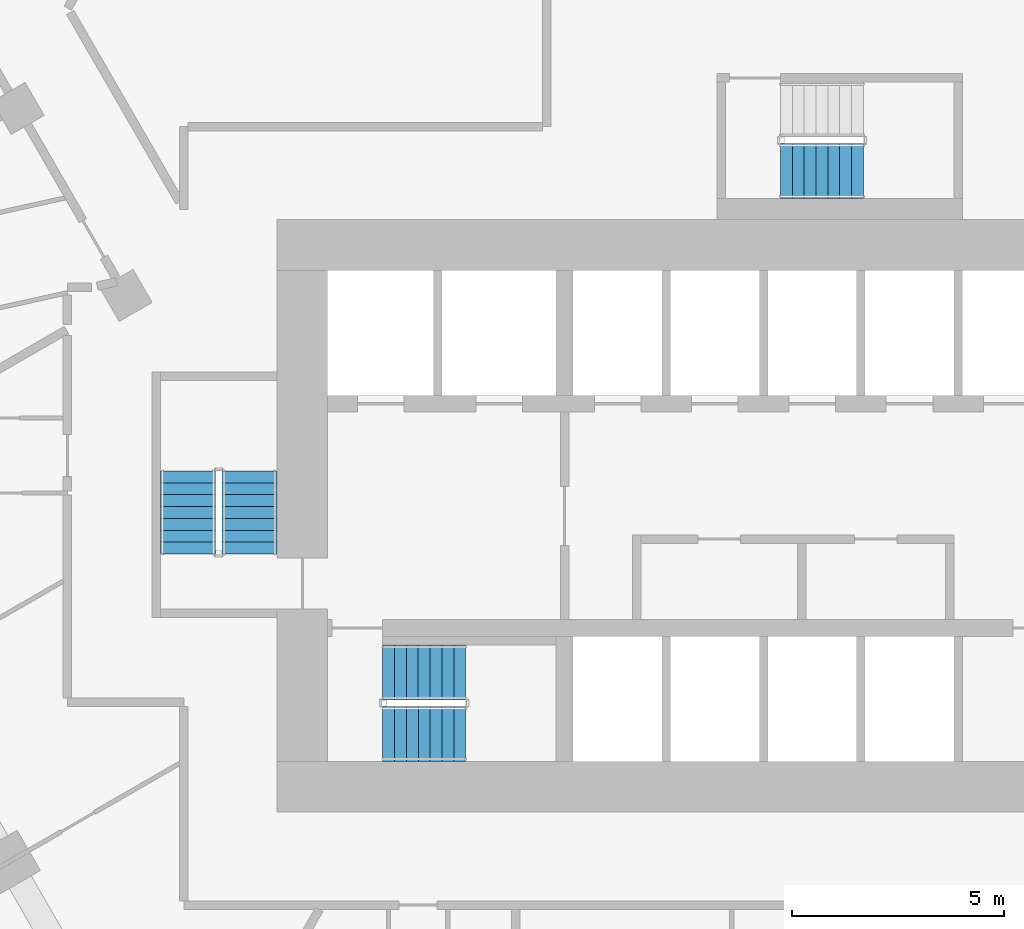
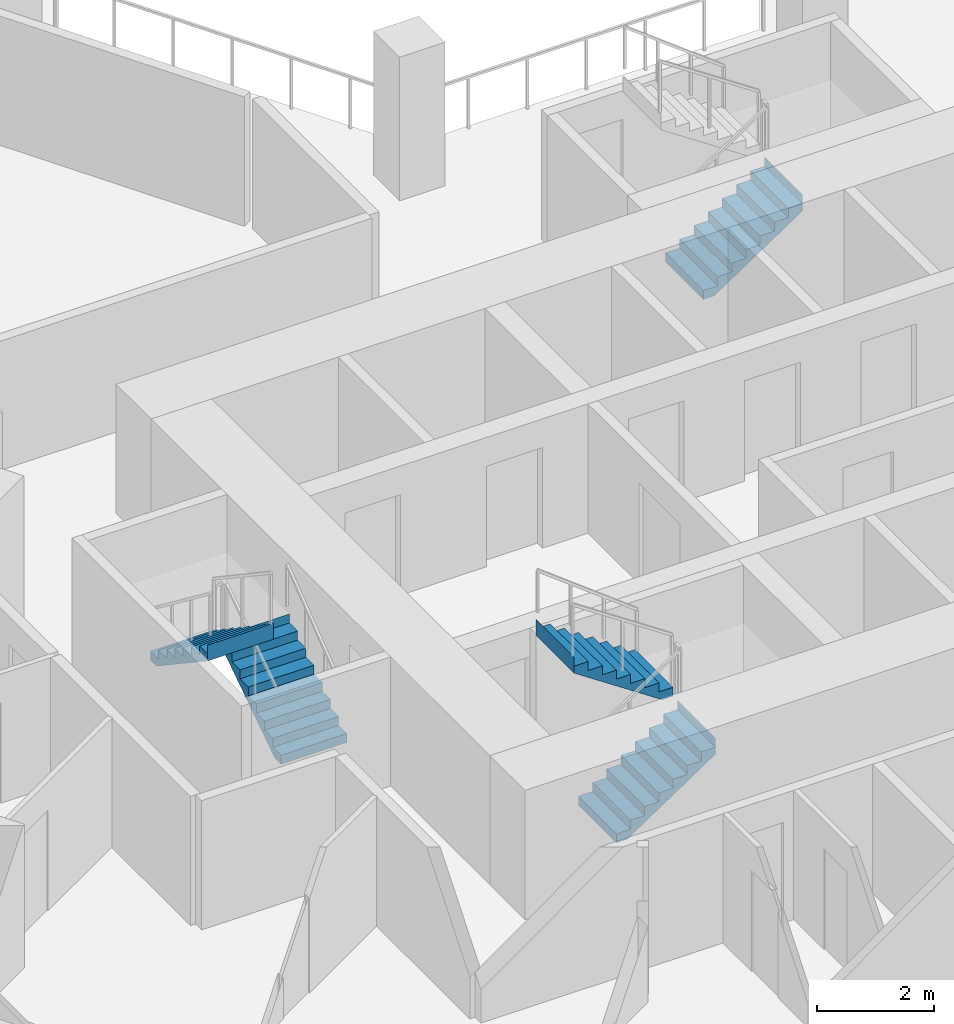
# One storey, part 16 of 21: 5 stair flights, 3 elements without a shape of their own.
"""IFC4 building model written with IfcOpenShell, lengths in metres."""

from ifc_helpers import new_model, si_unit, direction, frame, origin, place, context, subcontext, project, spatial, triangles, material, type_object, element, aggregate, save


model = new_model("IFC4")

# Units and contexts
model_context = context("Model", 3, precision=1e-05, world=origin(), true_north=direction((0.0, 1.0)))
body_context = subcontext(model_context, "Body", "Model", "MODEL_VIEW")
ifc_project = project(units=[si_unit("LENGTHUNIT", "METRE"), si_unit("AREAUNIT", "SQUARE_METRE"), si_unit("VOLUMEUNIT", "CUBIC_METRE"), si_unit("PLANEANGLEUNIT", "RADIAN"), si_unit("MASSUNIT", "GRAM", prefix="KILO")], contexts=[model_context])

# Site, building, storey
site_placement = place(None, origin())
site = spatial("IfcSite", under=ifc_project, at=site_placement, CompositionType="ELEMENT")
building_placement = place(site_placement, origin())
building = spatial("IfcBuilding", under=site, at=building_placement, Name="Beryl Residences", CompositionType="ELEMENT")
storey_placement = place(building_placement, frame((0.0, 0.0, 41.39990234375)))
storey = spatial("IfcBuildingStorey", under=building, at=storey_placement, Name="L12", CompositionType="ELEMENT", Elevation=41.39990234375)

# Stair, stair flights
ifc_material_1 = material(Name="Concrete C40/50", Category="concrete")
stair_type = type_object("IfcStairType", Name="ST1 protected exit stair, half-turn, 1300 mm flights", PredefinedType="HALF_TURN_STAIR", material=ifc_material_1)
stair_1_placement = place(storey_placement, origin())
stair_1 = element("IfcStair", 1, at=stair_1_placement, inside=storey, type_object=stair_type, Name="L12 PROTECTED EXIT STAIR ST-1", PredefinedType="HALF_TURN_STAIR")
ifc_material_2 = material(Name="Concrete C40/50", Category="concrete")
stair_flight_type = type_object("IfcStairFlightType", Name="SF1 stair flight 1300 mm", PredefinedType="STRAIGHT", material=ifc_material_2)
stair_flight_1_placement = place(storey_placement, frame((-10.800048828125, -17.14990234375, 0.0), z_axis=(0.0, 0.0, 1.0), x_axis=(1.0, 0.0, 0.0)))
stair_flight_1 = element("IfcStairFlight", 2, at=stair_flight_1_placement, type_object=stair_flight_type, Name="ST-1 flight 1", NumberOfRisers=8, NumberOfTreads=7, PredefinedType="STRAIGHT", RiserHeight=0.1875, TreadLength=0.28, context=body_context, shape_type="Tessellation", body=[
    triangles([(0.0, -0.64990234375, 0.0), (0.0, -0.324951171875, 0.0), (0.0, 0.0, 0.0), (0.0, 0.324951171875, 0.0), (0.0, 0.64990234375, 0.0), (0.0, -0.64990234375, 0.1875), (0.0, -0.324951171875, 0.1875), (0.0, 0.0, 0.1875), (0.0, 0.324951171875, 0.1875), (0.0, 0.64990234375, 0.1875), (0.280029296875, -0.64990234375, 0.1875), (0.280029296875, -0.324951171875, 0.1875), (0.280029296875, 0.0, 0.1875), (0.280029296875, 0.324951171875, 0.1875), (0.280029296875, 0.64990234375, 0.1875), (0.280029296875, -0.64990234375, 0.375), (0.280029296875, -0.324951171875, 0.375), (0.280029296875, 0.0, 0.375), (0.280029296875, 0.324951171875, 0.375), (0.280029296875, 0.64990234375, 0.375), (0.56005859375, -0.64990234375, 0.375), (0.56005859375, -0.324951171875, 0.375), (0.56005859375, 0.0, 0.375), (0.56005859375, 0.324951171875, 0.375), (0.56005859375, 0.64990234375, 0.375), (0.56005859375, -0.64990234375, 0.5625), (0.56005859375, -0.324951171875, 0.5625), (0.56005859375, 0.0, 0.5625), (0.56005859375, 0.324951171875, 0.5625), (0.56005859375, 0.64990234375, 0.5625), (0.840087890625, -0.64990234375, 0.5625), (0.840087890625, -0.324951171875, 0.5625), (0.840087890625, 0.0, 0.5625), (0.840087890625, 0.324951171875, 0.5625), (0.840087890625, 0.64990234375, 0.5625), (0.840087890625, -0.64990234375, 0.75), (0.840087890625, -0.324951171875, 0.75), (0.840087890625, 0.0, 0.75), (0.840087890625, 0.324951171875, 0.75), (0.840087890625, 0.64990234375, 0.75), (1.1201171875, -0.64990234375, 0.75), (1.1201171875, -0.324951171875, 0.75), (1.1201171875, 0.0, 0.75), (1.1201171875, 0.324951171875, 0.75), (1.1201171875, 0.64990234375, 0.75), (1.1201171875, -0.64990234375, 0.9375), (1.1201171875, -0.324951171875, 0.9375), (1.1201171875, 0.0, 0.9375), (1.1201171875, 0.324951171875, 0.9375), (1.1201171875, 0.64990234375, 0.9375), (1.39990234375, -0.64990234375, 0.9375), (1.39990234375, -0.324951171875, 0.9375), (1.39990234375, 0.0, 0.9375), (1.39990234375, 0.324951171875, 0.9375), (1.39990234375, 0.64990234375, 0.9375), (1.39990234375, -0.64990234375, 1.125), (1.39990234375, -0.324951171875, 1.125), (1.39990234375, 0.0, 1.125), (1.39990234375, 0.324951171875, 1.125), (1.39990234375, 0.64990234375, 1.125), (1.679931640625, -0.64990234375, 1.125), (1.679931640625, -0.324951171875, 1.125), (1.679931640625, 0.0, 1.125), (1.679931640625, 0.324951171875, 1.125), (1.679931640625, 0.64990234375, 1.125), (1.679931640625, -0.64990234375, 1.3125), (1.679931640625, -0.324951171875, 1.3125), (1.679931640625, 0.0, 1.3125), (1.679931640625, 0.324951171875, 1.3125), (1.679931640625, 0.64990234375, 1.3125), (1.9599609375, -0.64990234375, 1.3125), (1.9599609375, -0.324951171875, 1.3125), (1.9599609375, 0.0, 1.3125), (1.9599609375, 0.324951171875, 1.3125), (1.9599609375, 0.64990234375, 1.3125), (1.9599609375, -0.64990234375, 1.5), (1.9599609375, -0.324951171875, 1.5), (1.9599609375, 0.0, 1.5), (1.9599609375, 0.324951171875, 1.5), (1.9599609375, 0.64990234375, 1.5), (1.9609375, -0.64990234375, 1.5), (1.9609375, -0.324951171875, 1.5), (1.9609375, 0.0, 1.5), (1.9609375, 0.324951171875, 1.5), (1.9609375, 0.64990234375, 1.5), (1.9609375, -0.64990234375, 1.16796875), (1.9609375, -0.324951171875, 1.16796875), (1.9609375, 0.0, 1.16796875), (1.9609375, 0.324951171875, 1.16796875), (1.9609375, 0.64990234375, 1.16796875), (0.216796875, -0.64990234375, 0.0), (0.216796875, -0.324951171875, 0.0), (0.216796875, 0.0, 0.0), (0.216796875, 0.324951171875, 0.0), (0.216796875, 0.64990234375, 0.0)], [[1, 6, 7], [1, 7, 2], [2, 7, 8], [2, 8, 3], [3, 8, 9], [3, 9, 4], [4, 9, 10], [4, 10, 5], [6, 11, 12], [6, 12, 7], [7, 12, 13], [7, 13, 8], [8, 13, 14], [8, 14, 9], [9, 14, 15], [9, 15, 10], [11, 16, 17], [11, 17, 12], [12, 17, 18], [12, 18, 13], [13, 18, 19], [13, 19, 14], [14, 19, 20], [14, 20, 15], [16, 21, 22], [16, 22, 17], [17, 22, 23], [17, 23, 18], [18, 23, 24], [18, 24, 19], [19, 24, 25], [19, 25, 20], [21, 26, 27], [21, 27, 22], [22, 27, 28], [22, 28, 23], [23, 28, 29], [23, 29, 24], [24, 29, 30], [24, 30, 25], [26, 31, 32], [26, 32, 27], [27, 32, 33], [27, 33, 28], [28, 33, 34], [28, 34, 29], [29, 34, 35], [29, 35, 30], [31, 36, 37], [31, 37, 32], [32, 37, 38], [32, 38, 33], [33, 38, 39], [33, 39, 34], [34, 39, 40], [34, 40, 35], [36, 41, 42], [36, 42, 37], [37, 42, 43], [37, 43, 38], [38, 43, 44], [38, 44, 39], [39, 44, 45], [39, 45, 40], [41, 46, 47], [41, 47, 42], [42, 47, 48], [42, 48, 43], [43, 48, 49], [43, 49, 44], [44, 49, 50], [44, 50, 45], [46, 51, 52], [46, 52, 47], [47, 52, 53], [47, 53, 48], [48, 53, 54], [48, 54, 49], [49, 54, 55], [49, 55, 50], [51, 56, 57], [51, 57, 52], [52, 57, 58], [52, 58, 53], [53, 58, 59], [53, 59, 54], [54, 59, 60], [54, 60, 55], [56, 61, 62], [56, 62, 57], [57, 62, 63], [57, 63, 58], [58, 63, 64], [58, 64, 59], [59, 64, 65], [59, 65, 60], [61, 66, 67], [61, 67, 62], [62, 67, 68], [62, 68, 63], [63, 68, 69], [63, 69, 64], [64, 69, 70], [64, 70, 65], [66, 71, 72], [66, 72, 67], [67, 72, 73], [67, 73, 68], [68, 73, 74], [68, 74, 69], [69, 74, 75], [69, 75, 70], [71, 76, 77], [71, 77, 72], [72, 77, 78], [72, 78, 73], [73, 78, 79], [73, 79, 74], [74, 79, 80], [74, 80, 75], [76, 81, 82], [76, 82, 77], [77, 82, 83], [77, 83, 78], [78, 83, 84], [78, 84, 79], [79, 84, 85], [79, 85, 80], [81, 86, 87], [81, 87, 82], [82, 87, 88], [82, 88, 83], [83, 88, 89], [83, 89, 84], [84, 89, 90], [84, 90, 85], [86, 91, 92], [86, 92, 87], [87, 92, 93], [87, 93, 88], [88, 93, 94], [88, 94, 89], [89, 94, 95], [89, 95, 90], [91, 1, 2], [91, 2, 92], [92, 2, 3], [92, 3, 93], [93, 3, 4], [93, 4, 94], [94, 4, 5], [94, 5, 95], [1, 91, 86], [5, 90, 95], [86, 81, 76], [90, 80, 85], [86, 76, 71], [90, 75, 80], [86, 71, 66], [90, 70, 75], [86, 66, 61], [90, 65, 70], [61, 56, 51], [65, 55, 60], [86, 61, 51], [90, 55, 65], [51, 46, 41], [55, 45, 50], [86, 51, 41], [90, 45, 55], [41, 36, 31], [45, 35, 40], [86, 41, 31], [90, 35, 45], [31, 26, 21], [35, 25, 30], [86, 31, 21], [90, 25, 35], [21, 16, 11], [25, 15, 20], [86, 21, 11], [90, 15, 25], [1, 86, 11], [5, 15, 90], [11, 6, 1], [15, 5, 10]], closed=True),
])
stair_flight_2_placement = place(storey_placement, frame((-8.840087890625, -15.699951171875, 1.5), z_axis=(0.0, 0.0, 1.0), x_axis=(-1.0, 0.0, 0.0)))
stair_flight_2 = element("IfcStairFlight", 3, at=stair_flight_2_placement, type_object=stair_flight_type, Name="ST-1 flight 2", NumberOfRisers=8, NumberOfTreads=7, PredefinedType="STRAIGHT", RiserHeight=0.1875, TreadLength=0.28, context=body_context, shape_type="Tessellation", body=[
    triangles([(0.0, -0.64990234375, 0.0), (0.0, -0.324951171875, 0.0), (0.0, 0.0, 0.0), (0.0, 0.324951171875, 0.0), (0.0, 0.64990234375, 0.0), (0.0, -0.64990234375, 0.1875), (0.0, -0.324951171875, 0.1875), (0.0, 0.0, 0.1875), (0.0, 0.324951171875, 0.1875), (0.0, 0.64990234375, 0.1875), (0.280029296875, -0.64990234375, 0.1875), (0.280029296875, -0.324951171875, 0.1875), (0.280029296875, 0.0, 0.1875), (0.280029296875, 0.324951171875, 0.1875), (0.280029296875, 0.64990234375, 0.1875), (0.280029296875, -0.64990234375, 0.375), (0.280029296875, -0.324951171875, 0.375), (0.280029296875, 0.0, 0.375), (0.280029296875, 0.324951171875, 0.375), (0.280029296875, 0.64990234375, 0.375), (0.56005859375, -0.64990234375, 0.375), (0.56005859375, -0.324951171875, 0.375), (0.56005859375, 0.0, 0.375), (0.56005859375, 0.324951171875, 0.375), (0.56005859375, 0.64990234375, 0.375), (0.56005859375, -0.64990234375, 0.5625), (0.56005859375, -0.324951171875, 0.5625), (0.56005859375, 0.0, 0.5625), (0.56005859375, 0.324951171875, 0.5625), (0.56005859375, 0.64990234375, 0.5625), (0.840087890625, -0.64990234375, 0.5625), (0.840087890625, -0.324951171875, 0.5625), (0.840087890625, 0.0, 0.5625), (0.840087890625, 0.324951171875, 0.5625), (0.840087890625, 0.64990234375, 0.5625), (0.840087890625, -0.64990234375, 0.75), (0.840087890625, -0.324951171875, 0.75), (0.840087890625, 0.0, 0.75), (0.840087890625, 0.324951171875, 0.75), (0.840087890625, 0.64990234375, 0.75), (1.1201171875, -0.64990234375, 0.75), (1.1201171875, -0.324951171875, 0.75), (1.1201171875, 0.0, 0.75), (1.1201171875, 0.324951171875, 0.75), (1.1201171875, 0.64990234375, 0.75), (1.1201171875, -0.64990234375, 0.9375), (1.1201171875, -0.324951171875, 0.9375), (1.1201171875, 0.0, 0.9375), (1.1201171875, 0.324951171875, 0.9375), (1.1201171875, 0.64990234375, 0.9375), (1.39990234375, -0.64990234375, 0.9375), (1.39990234375, -0.324951171875, 0.9375), (1.39990234375, 0.0, 0.9375), (1.39990234375, 0.324951171875, 0.9375), (1.39990234375, 0.64990234375, 0.9375), (1.39990234375, -0.64990234375, 1.125), (1.39990234375, -0.324951171875, 1.125), (1.39990234375, 0.0, 1.125), (1.39990234375, 0.324951171875, 1.125), (1.39990234375, 0.64990234375, 1.125), (1.679931640625, -0.64990234375, 1.125), (1.679931640625, -0.324951171875, 1.125), (1.679931640625, 0.0, 1.125), (1.679931640625, 0.324951171875, 1.125), (1.679931640625, 0.64990234375, 1.125), (1.679931640625, -0.64990234375, 1.3125), (1.679931640625, -0.324951171875, 1.3125), (1.679931640625, 0.0, 1.3125), (1.679931640625, 0.324951171875, 1.3125), (1.679931640625, 0.64990234375, 1.3125), (1.9599609375, -0.64990234375, 1.3125), (1.9599609375, -0.324951171875, 1.3125), (1.9599609375, 0.0, 1.3125), (1.9599609375, 0.324951171875, 1.3125), (1.9599609375, 0.64990234375, 1.3125), (1.9599609375, -0.64990234375, 1.5), (1.9599609375, -0.324951171875, 1.5), (1.9599609375, 0.0, 1.5), (1.9599609375, 0.324951171875, 1.5), (1.9599609375, 0.64990234375, 1.5), (1.9609375, -0.64990234375, 1.5), (1.9609375, -0.324951171875, 1.5), (1.9609375, 0.0, 1.5), (1.9609375, 0.324951171875, 1.5), (1.9609375, 0.64990234375, 1.5), (1.9609375, -0.64990234375, 1.16796875), (1.9609375, -0.324951171875, 1.16796875), (1.9609375, 0.0, 1.16796875), (1.9609375, 0.324951171875, 1.16796875), (1.9609375, 0.64990234375, 1.16796875), (0.216796875, -0.64990234375, 0.0), (0.216796875, -0.324951171875, 0.0), (0.216796875, 0.0, 0.0), (0.216796875, 0.324951171875, 0.0), (0.216796875, 0.64990234375, 0.0)], [[1, 6, 7], [1, 7, 2], [2, 7, 8], [2, 8, 3], [3, 8, 9], [3, 9, 4], [4, 9, 10], [4, 10, 5], [6, 11, 12], [6, 12, 7], [7, 12, 13], [7, 13, 8], [8, 13, 14], [8, 14, 9], [9, 14, 15], [9, 15, 10], [11, 16, 17], [11, 17, 12], [12, 17, 18], [12, 18, 13], [13, 18, 19], [13, 19, 14], [14, 19, 20], [14, 20, 15], [16, 21, 22], [16, 22, 17], [17, 22, 23], [17, 23, 18], [18, 23, 24], [18, 24, 19], [19, 24, 25], [19, 25, 20], [21, 26, 27], [21, 27, 22], [22, 27, 28], [22, 28, 23], [23, 28, 29], [23, 29, 24], [24, 29, 30], [24, 30, 25], [26, 31, 32], [26, 32, 27], [27, 32, 33], [27, 33, 28], [28, 33, 34], [28, 34, 29], [29, 34, 35], [29, 35, 30], [31, 36, 37], [31, 37, 32], [32, 37, 38], [32, 38, 33], [33, 38, 39], [33, 39, 34], [34, 39, 40], [34, 40, 35], [36, 41, 42], [36, 42, 37], [37, 42, 43], [37, 43, 38], [38, 43, 44], [38, 44, 39], [39, 44, 45], [39, 45, 40], [41, 46, 47], [41, 47, 42], [42, 47, 48], [42, 48, 43], [43, 48, 49], [43, 49, 44], [44, 49, 50], [44, 50, 45], [46, 51, 52], [46, 52, 47], [47, 52, 53], [47, 53, 48], [48, 53, 54], [48, 54, 49], [49, 54, 55], [49, 55, 50], [51, 56, 57], [51, 57, 52], [52, 57, 58], [52, 58, 53], [53, 58, 59], [53, 59, 54], [54, 59, 60], [54, 60, 55], [56, 61, 62], [56, 62, 57], [57, 62, 63], [57, 63, 58], [58, 63, 64], [58, 64, 59], [59, 64, 65], [59, 65, 60], [61, 66, 67], [61, 67, 62], [62, 67, 68], [62, 68, 63], [63, 68, 69], [63, 69, 64], [64, 69, 70], [64, 70, 65], [66, 71, 72], [66, 72, 67], [67, 72, 73], [67, 73, 68], [68, 73, 74], [68, 74, 69], [69, 74, 75], [69, 75, 70], [71, 76, 77], [71, 77, 72], [72, 77, 78], [72, 78, 73], [73, 78, 79], [73, 79, 74], [74, 79, 80], [74, 80, 75], [76, 81, 82], [76, 82, 77], [77, 82, 83], [77, 83, 78], [78, 83, 84], [78, 84, 79], [79, 84, 85], [79, 85, 80], [81, 86, 87], [81, 87, 82], [82, 87, 88], [82, 88, 83], [83, 88, 89], [83, 89, 84], [84, 89, 90], [84, 90, 85], [86, 91, 92], [86, 92, 87], [87, 92, 93], [87, 93, 88], [88, 93, 94], [88, 94, 89], [89, 94, 95], [89, 95, 90], [91, 1, 2], [91, 2, 92], [92, 2, 3], [92, 3, 93], [93, 3, 4], [93, 4, 94], [94, 4, 5], [94, 5, 95], [1, 91, 86], [5, 90, 95], [86, 81, 76], [90, 80, 85], [86, 76, 71], [90, 75, 80], [86, 71, 66], [90, 70, 75], [86, 66, 61], [90, 65, 70], [61, 56, 51], [65, 55, 60], [86, 61, 51], [90, 55, 65], [51, 46, 41], [55, 45, 50], [86, 51, 41], [90, 45, 55], [41, 36, 31], [45, 35, 40], [86, 41, 31], [90, 35, 45], [31, 26, 21], [35, 25, 30], [86, 31, 21], [90, 25, 35], [21, 16, 11], [25, 15, 20], [86, 21, 11], [90, 15, 25], [1, 86, 11], [5, 15, 90], [11, 6, 1], [15, 5, 10]], closed=True),
])
aggregate(stair_1, [stair_flight_1, stair_flight_2])

stair_2_placement = place(storey_placement, origin())
stair_2 = element("IfcStair", 4, at=stair_2_placement, inside=storey, type_object=stair_type, Name="L12 PROTECTED EXIT STAIR ST-2", PredefinedType="HALF_TURN_STAIR")
stair_flight_3_placement = place(storey_placement, frame((-13.949951171875, -12.89990234375, 0.0), z_axis=(0.0, 0.0, 1.0), x_axis=(0.0, 1.0, 0.0)))
stair_flight_3 = element("IfcStairFlight", 5, at=stair_flight_3_placement, type_object=stair_flight_type, Name="ST-2 flight 1", NumberOfRisers=8, NumberOfTreads=7, PredefinedType="STRAIGHT", RiserHeight=0.1875, TreadLength=0.28, context=body_context, shape_type="Tessellation", body=[
    triangles([(0.0, -0.64990234375, 0.0), (0.0, -0.324951171875, 0.0), (0.0, 0.0, 0.0), (0.0, 0.324951171875, 0.0), (0.0, 0.64990234375, 0.0), (0.0, -0.64990234375, 0.1875), (0.0, -0.324951171875, 0.1875), (0.0, 0.0, 0.1875), (0.0, 0.324951171875, 0.1875), (0.0, 0.64990234375, 0.1875), (0.280029296875, -0.64990234375, 0.1875), (0.280029296875, -0.324951171875, 0.1875), (0.280029296875, 0.0, 0.1875), (0.280029296875, 0.324951171875, 0.1875), (0.280029296875, 0.64990234375, 0.1875), (0.280029296875, -0.64990234375, 0.375), (0.280029296875, -0.324951171875, 0.375), (0.280029296875, 0.0, 0.375), (0.280029296875, 0.324951171875, 0.375), (0.280029296875, 0.64990234375, 0.375), (0.56005859375, -0.64990234375, 0.375), (0.56005859375, -0.324951171875, 0.375), (0.56005859375, 0.0, 0.375), (0.56005859375, 0.324951171875, 0.375), (0.56005859375, 0.64990234375, 0.375), (0.56005859375, -0.64990234375, 0.5625), (0.56005859375, -0.324951171875, 0.5625), (0.56005859375, 0.0, 0.5625), (0.56005859375, 0.324951171875, 0.5625), (0.56005859375, 0.64990234375, 0.5625), (0.840087890625, -0.64990234375, 0.5625), (0.840087890625, -0.324951171875, 0.5625), (0.840087890625, 0.0, 0.5625), (0.840087890625, 0.324951171875, 0.5625), (0.840087890625, 0.64990234375, 0.5625), (0.840087890625, -0.64990234375, 0.75), (0.840087890625, -0.324951171875, 0.75), (0.840087890625, 0.0, 0.75), (0.840087890625, 0.324951171875, 0.75), (0.840087890625, 0.64990234375, 0.75), (1.1201171875, -0.64990234375, 0.75), (1.1201171875, -0.324951171875, 0.75), (1.1201171875, 0.0, 0.75), (1.1201171875, 0.324951171875, 0.75), (1.1201171875, 0.64990234375, 0.75), (1.1201171875, -0.64990234375, 0.9375), (1.1201171875, -0.324951171875, 0.9375), (1.1201171875, 0.0, 0.9375), (1.1201171875, 0.324951171875, 0.9375), (1.1201171875, 0.64990234375, 0.9375), (1.39990234375, -0.64990234375, 0.9375), (1.39990234375, -0.324951171875, 0.9375), (1.39990234375, 0.0, 0.9375), (1.39990234375, 0.324951171875, 0.9375), (1.39990234375, 0.64990234375, 0.9375), (1.39990234375, -0.64990234375, 1.125), (1.39990234375, -0.324951171875, 1.125), (1.39990234375, 0.0, 1.125), (1.39990234375, 0.324951171875, 1.125), (1.39990234375, 0.64990234375, 1.125), (1.679931640625, -0.64990234375, 1.125), (1.679931640625, -0.324951171875, 1.125), (1.679931640625, 0.0, 1.125), (1.679931640625, 0.324951171875, 1.125), (1.679931640625, 0.64990234375, 1.125), (1.679931640625, -0.64990234375, 1.3125), (1.679931640625, -0.324951171875, 1.3125), (1.679931640625, 0.0, 1.3125), (1.679931640625, 0.324951171875, 1.3125), (1.679931640625, 0.64990234375, 1.3125), (1.9599609375, -0.64990234375, 1.3125), (1.9599609375, -0.324951171875, 1.3125), (1.9599609375, 0.0, 1.3125), (1.9599609375, 0.324951171875, 1.3125), (1.9599609375, 0.64990234375, 1.3125), (1.9599609375, -0.64990234375, 1.5), (1.9599609375, -0.324951171875, 1.5), (1.9599609375, 0.0, 1.5), (1.9599609375, 0.324951171875, 1.5), (1.9599609375, 0.64990234375, 1.5), (1.9609375, -0.64990234375, 1.5), (1.9609375, -0.324951171875, 1.5), (1.9609375, 0.0, 1.5), (1.9609375, 0.324951171875, 1.5), (1.9609375, 0.64990234375, 1.5), (1.9609375, -0.64990234375, 1.16796875), (1.9609375, -0.324951171875, 1.16796875), (1.9609375, 0.0, 1.16796875), (1.9609375, 0.324951171875, 1.16796875), (1.9609375, 0.64990234375, 1.16796875), (0.216796875, -0.64990234375, 0.0), (0.216796875, -0.324951171875, 0.0), (0.216796875, 0.0, 0.0), (0.216796875, 0.324951171875, 0.0), (0.216796875, 0.64990234375, 0.0)], [[1, 6, 7], [1, 7, 2], [2, 7, 8], [2, 8, 3], [3, 8, 9], [3, 9, 4], [4, 9, 10], [4, 10, 5], [6, 11, 12], [6, 12, 7], [7, 12, 13], [7, 13, 8], [8, 13, 14], [8, 14, 9], [9, 14, 15], [9, 15, 10], [11, 16, 17], [11, 17, 12], [12, 17, 18], [12, 18, 13], [13, 18, 19], [13, 19, 14], [14, 19, 20], [14, 20, 15], [16, 21, 22], [16, 22, 17], [17, 22, 23], [17, 23, 18], [18, 23, 24], [18, 24, 19], [19, 24, 25], [19, 25, 20], [21, 26, 27], [21, 27, 22], [22, 27, 28], [22, 28, 23], [23, 28, 29], [23, 29, 24], [24, 29, 30], [24, 30, 25], [26, 31, 32], [26, 32, 27], [27, 32, 33], [27, 33, 28], [28, 33, 34], [28, 34, 29], [29, 34, 35], [29, 35, 30], [31, 36, 37], [31, 37, 32], [32, 37, 38], [32, 38, 33], [33, 38, 39], [33, 39, 34], [34, 39, 40], [34, 40, 35], [36, 41, 42], [36, 42, 37], [37, 42, 43], [37, 43, 38], [38, 43, 44], [38, 44, 39], [39, 44, 45], [39, 45, 40], [41, 46, 47], [41, 47, 42], [42, 47, 48], [42, 48, 43], [43, 48, 49], [43, 49, 44], [44, 49, 50], [44, 50, 45], [46, 51, 52], [46, 52, 47], [47, 52, 53], [47, 53, 48], [48, 53, 54], [48, 54, 49], [49, 54, 55], [49, 55, 50], [51, 56, 57], [51, 57, 52], [52, 57, 58], [52, 58, 53], [53, 58, 59], [53, 59, 54], [54, 59, 60], [54, 60, 55], [56, 61, 62], [56, 62, 57], [57, 62, 63], [57, 63, 58], [58, 63, 64], [58, 64, 59], [59, 64, 65], [59, 65, 60], [61, 66, 67], [61, 67, 62], [62, 67, 68], [62, 68, 63], [63, 68, 69], [63, 69, 64], [64, 69, 70], [64, 70, 65], [66, 71, 72], [66, 72, 67], [67, 72, 73], [67, 73, 68], [68, 73, 74], [68, 74, 69], [69, 74, 75], [69, 75, 70], [71, 76, 77], [71, 77, 72], [72, 77, 78], [72, 78, 73], [73, 78, 79], [73, 79, 74], [74, 79, 80], [74, 80, 75], [76, 81, 82], [76, 82, 77], [77, 82, 83], [77, 83, 78], [78, 83, 84], [78, 84, 79], [79, 84, 85], [79, 85, 80], [81, 86, 87], [81, 87, 82], [82, 87, 88], [82, 88, 83], [83, 88, 89], [83, 89, 84], [84, 89, 90], [84, 90, 85], [86, 91, 92], [86, 92, 87], [87, 92, 93], [87, 93, 88], [88, 93, 94], [88, 94, 89], [89, 94, 95], [89, 95, 90], [91, 1, 2], [91, 2, 92], [92, 2, 3], [92, 3, 93], [93, 3, 4], [93, 4, 94], [94, 4, 5], [94, 5, 95], [1, 91, 86], [5, 90, 95], [86, 81, 76], [90, 80, 85], [86, 76, 71], [90, 75, 80], [86, 71, 66], [90, 70, 75], [86, 66, 61], [90, 65, 70], [61, 56, 51], [65, 55, 60], [86, 61, 51], [90, 55, 65], [51, 46, 41], [55, 45, 50], [86, 51, 41], [90, 45, 55], [41, 36, 31], [45, 35, 40], [86, 41, 31], [90, 35, 45], [31, 26, 21], [35, 25, 30], [86, 31, 21], [90, 25, 35], [21, 16, 11], [25, 15, 20], [86, 21, 11], [90, 15, 25], [1, 86, 11], [5, 15, 90], [11, 6, 1], [15, 5, 10]], closed=True),
])
stair_flight_4_placement = place(storey_placement, frame((-15.39990234375, -10.93994140625, 1.5), z_axis=(0.0, 0.0, 1.0), x_axis=(0.0, -1.0, 0.0)))
stair_flight_4 = element("IfcStairFlight", 6, at=stair_flight_4_placement, type_object=stair_flight_type, Name="ST-2 flight 2", NumberOfRisers=8, NumberOfTreads=7, PredefinedType="STRAIGHT", RiserHeight=0.1875, TreadLength=0.28, context=body_context, shape_type="Tessellation", body=[
    triangles([(0.0, -0.64990234375, 0.0), (0.0, -0.324951171875, 0.0), (0.0, 0.0, 0.0), (0.0, 0.324951171875, 0.0), (0.0, 0.64990234375, 0.0), (0.0, -0.64990234375, 0.1875), (0.0, -0.324951171875, 0.1875), (0.0, 0.0, 0.1875), (0.0, 0.324951171875, 0.1875), (0.0, 0.64990234375, 0.1875), (0.280029296875, -0.64990234375, 0.1875), (0.280029296875, -0.324951171875, 0.1875), (0.280029296875, 0.0, 0.1875), (0.280029296875, 0.324951171875, 0.1875), (0.280029296875, 0.64990234375, 0.1875), (0.280029296875, -0.64990234375, 0.375), (0.280029296875, -0.324951171875, 0.375), (0.280029296875, 0.0, 0.375), (0.280029296875, 0.324951171875, 0.375), (0.280029296875, 0.64990234375, 0.375), (0.56005859375, -0.64990234375, 0.375), (0.56005859375, -0.324951171875, 0.375), (0.56005859375, 0.0, 0.375), (0.56005859375, 0.324951171875, 0.375), (0.56005859375, 0.64990234375, 0.375), (0.56005859375, -0.64990234375, 0.5625), (0.56005859375, -0.324951171875, 0.5625), (0.56005859375, 0.0, 0.5625), (0.56005859375, 0.324951171875, 0.5625), (0.56005859375, 0.64990234375, 0.5625), (0.840087890625, -0.64990234375, 0.5625), (0.840087890625, -0.324951171875, 0.5625), (0.840087890625, 0.0, 0.5625), (0.840087890625, 0.324951171875, 0.5625), (0.840087890625, 0.64990234375, 0.5625), (0.840087890625, -0.64990234375, 0.75), (0.840087890625, -0.324951171875, 0.75), (0.840087890625, 0.0, 0.75), (0.840087890625, 0.324951171875, 0.75), (0.840087890625, 0.64990234375, 0.75), (1.1201171875, -0.64990234375, 0.75), (1.1201171875, -0.324951171875, 0.75), (1.1201171875, 0.0, 0.75), (1.1201171875, 0.324951171875, 0.75), (1.1201171875, 0.64990234375, 0.75), (1.1201171875, -0.64990234375, 0.9375), (1.1201171875, -0.324951171875, 0.9375), (1.1201171875, 0.0, 0.9375), (1.1201171875, 0.324951171875, 0.9375), (1.1201171875, 0.64990234375, 0.9375), (1.39990234375, -0.64990234375, 0.9375), (1.39990234375, -0.324951171875, 0.9375), (1.39990234375, 0.0, 0.9375), (1.39990234375, 0.324951171875, 0.9375), (1.39990234375, 0.64990234375, 0.9375), (1.39990234375, -0.64990234375, 1.125), (1.39990234375, -0.324951171875, 1.125), (1.39990234375, 0.0, 1.125), (1.39990234375, 0.324951171875, 1.125), (1.39990234375, 0.64990234375, 1.125), (1.679931640625, -0.64990234375, 1.125), (1.679931640625, -0.324951171875, 1.125), (1.679931640625, 0.0, 1.125), (1.679931640625, 0.324951171875, 1.125), (1.679931640625, 0.64990234375, 1.125), (1.679931640625, -0.64990234375, 1.3125), (1.679931640625, -0.324951171875, 1.3125), (1.679931640625, 0.0, 1.3125), (1.679931640625, 0.324951171875, 1.3125), (1.679931640625, 0.64990234375, 1.3125), (1.9599609375, -0.64990234375, 1.3125), (1.9599609375, -0.324951171875, 1.3125), (1.9599609375, 0.0, 1.3125), (1.9599609375, 0.324951171875, 1.3125), (1.9599609375, 0.64990234375, 1.3125), (1.9599609375, -0.64990234375, 1.5), (1.9599609375, -0.324951171875, 1.5), (1.9599609375, 0.0, 1.5), (1.9599609375, 0.324951171875, 1.5), (1.9599609375, 0.64990234375, 1.5), (1.9609375, -0.64990234375, 1.5), (1.9609375, -0.324951171875, 1.5), (1.9609375, 0.0, 1.5), (1.9609375, 0.324951171875, 1.5), (1.9609375, 0.64990234375, 1.5), (1.9609375, -0.64990234375, 1.16796875), (1.9609375, -0.324951171875, 1.16796875), (1.9609375, 0.0, 1.16796875), (1.9609375, 0.324951171875, 1.16796875), (1.9609375, 0.64990234375, 1.16796875), (0.216796875, -0.64990234375, 0.0), (0.216796875, -0.324951171875, 0.0), (0.216796875, 0.0, 0.0), (0.216796875, 0.324951171875, 0.0), (0.216796875, 0.64990234375, 0.0)], [[1, 6, 7], [1, 7, 2], [2, 7, 8], [2, 8, 3], [3, 8, 9], [3, 9, 4], [4, 9, 10], [4, 10, 5], [6, 11, 12], [6, 12, 7], [7, 12, 13], [7, 13, 8], [8, 13, 14], [8, 14, 9], [9, 14, 15], [9, 15, 10], [11, 16, 17], [11, 17, 12], [12, 17, 18], [12, 18, 13], [13, 18, 19], [13, 19, 14], [14, 19, 20], [14, 20, 15], [16, 21, 22], [16, 22, 17], [17, 22, 23], [17, 23, 18], [18, 23, 24], [18, 24, 19], [19, 24, 25], [19, 25, 20], [21, 26, 27], [21, 27, 22], [22, 27, 28], [22, 28, 23], [23, 28, 29], [23, 29, 24], [24, 29, 30], [24, 30, 25], [26, 31, 32], [26, 32, 27], [27, 32, 33], [27, 33, 28], [28, 33, 34], [28, 34, 29], [29, 34, 35], [29, 35, 30], [31, 36, 37], [31, 37, 32], [32, 37, 38], [32, 38, 33], [33, 38, 39], [33, 39, 34], [34, 39, 40], [34, 40, 35], [36, 41, 42], [36, 42, 37], [37, 42, 43], [37, 43, 38], [38, 43, 44], [38, 44, 39], [39, 44, 45], [39, 45, 40], [41, 46, 47], [41, 47, 42], [42, 47, 48], [42, 48, 43], [43, 48, 49], [43, 49, 44], [44, 49, 50], [44, 50, 45], [46, 51, 52], [46, 52, 47], [47, 52, 53], [47, 53, 48], [48, 53, 54], [48, 54, 49], [49, 54, 55], [49, 55, 50], [51, 56, 57], [51, 57, 52], [52, 57, 58], [52, 58, 53], [53, 58, 59], [53, 59, 54], [54, 59, 60], [54, 60, 55], [56, 61, 62], [56, 62, 57], [57, 62, 63], [57, 63, 58], [58, 63, 64], [58, 64, 59], [59, 64, 65], [59, 65, 60], [61, 66, 67], [61, 67, 62], [62, 67, 68], [62, 68, 63], [63, 68, 69], [63, 69, 64], [64, 69, 70], [64, 70, 65], [66, 71, 72], [66, 72, 67], [67, 72, 73], [67, 73, 68], [68, 73, 74], [68, 74, 69], [69, 74, 75], [69, 75, 70], [71, 76, 77], [71, 77, 72], [72, 77, 78], [72, 78, 73], [73, 78, 79], [73, 79, 74], [74, 79, 80], [74, 80, 75], [76, 81, 82], [76, 82, 77], [77, 82, 83], [77, 83, 78], [78, 83, 84], [78, 84, 79], [79, 84, 85], [79, 85, 80], [81, 86, 87], [81, 87, 82], [82, 87, 88], [82, 88, 83], [83, 88, 89], [83, 89, 84], [84, 89, 90], [84, 90, 85], [86, 91, 92], [86, 92, 87], [87, 92, 93], [87, 93, 88], [88, 93, 94], [88, 94, 89], [89, 94, 95], [89, 95, 90], [91, 1, 2], [91, 2, 92], [92, 2, 3], [92, 3, 93], [93, 3, 4], [93, 4, 94], [94, 4, 5], [94, 5, 95], [1, 91, 86], [5, 90, 95], [86, 81, 76], [90, 80, 85], [86, 76, 71], [90, 75, 80], [86, 71, 66], [90, 70, 75], [86, 66, 61], [90, 65, 70], [61, 56, 51], [65, 55, 60], [86, 61, 51], [90, 55, 65], [51, 46, 41], [55, 45, 50], [86, 51, 41], [90, 45, 55], [41, 36, 31], [45, 35, 40], [86, 41, 31], [90, 35, 45], [31, 26, 21], [35, 25, 30], [86, 31, 21], [90, 25, 35], [21, 16, 11], [25, 15, 20], [86, 21, 11], [90, 15, 25], [1, 86, 11], [5, 15, 90], [11, 6, 1], [15, 5, 10]], closed=True),
])
aggregate(stair_2, [stair_flight_3, stair_flight_4])

# Stair, stair flight
stair_3_placement = place(storey_placement, origin())
stair_3 = element("IfcStair", 7, at=stair_3_placement, inside=storey, type_object=stair_type, Name="L12 PROTECTED EXIT STAIR ST-4", PredefinedType="HALF_TURN_STAIR")
stair_flight_5_placement = place(storey_placement, frame((-1.39990234375, -3.85009765625, 0.0), z_axis=(0.0, 0.0, 1.0), x_axis=(1.0, 0.0, 0.0)))
stair_flight_5 = element("IfcStairFlight", 8, at=stair_flight_5_placement, type_object=stair_flight_type, Name="ST-4 flight 1", NumberOfRisers=8, NumberOfTreads=7, PredefinedType="STRAIGHT", RiserHeight=0.1875, TreadLength=0.28, context=body_context, shape_type="Tessellation", body=[
    triangles([(0.0, -0.64990234375, 0.0), (0.0, -0.324951171875, 0.0), (0.0, 0.0, 0.0), (0.0, 0.324951171875, 0.0), (0.0, 0.64990234375, 0.0), (0.0, -0.64990234375, 0.1875), (0.0, -0.324951171875, 0.1875), (0.0, 0.0, 0.1875), (0.0, 0.324951171875, 0.1875), (0.0, 0.64990234375, 0.1875), (0.280029296875, -0.64990234375, 0.1875), (0.280029296875, -0.324951171875, 0.1875), (0.280029296875, 0.0, 0.1875), (0.280029296875, 0.324951171875, 0.1875), (0.280029296875, 0.64990234375, 0.1875), (0.280029296875, -0.64990234375, 0.375), (0.280029296875, -0.324951171875, 0.375), (0.280029296875, 0.0, 0.375), (0.280029296875, 0.324951171875, 0.375), (0.280029296875, 0.64990234375, 0.375), (0.56005859375, -0.64990234375, 0.375), (0.56005859375, -0.324951171875, 0.375), (0.56005859375, 0.0, 0.375), (0.56005859375, 0.324951171875, 0.375), (0.56005859375, 0.64990234375, 0.375), (0.56005859375, -0.64990234375, 0.5625), (0.56005859375, -0.324951171875, 0.5625), (0.56005859375, 0.0, 0.5625), (0.56005859375, 0.324951171875, 0.5625), (0.56005859375, 0.64990234375, 0.5625), (0.840087890625, -0.64990234375, 0.5625), (0.840087890625, -0.324951171875, 0.5625), (0.840087890625, 0.0, 0.5625), (0.840087890625, 0.324951171875, 0.5625), (0.840087890625, 0.64990234375, 0.5625), (0.840087890625, -0.64990234375, 0.75), (0.840087890625, -0.324951171875, 0.75), (0.840087890625, 0.0, 0.75), (0.840087890625, 0.324951171875, 0.75), (0.840087890625, 0.64990234375, 0.75), (1.1201171875, -0.64990234375, 0.75), (1.1201171875, -0.324951171875, 0.75), (1.1201171875, 0.0, 0.75), (1.1201171875, 0.324951171875, 0.75), (1.1201171875, 0.64990234375, 0.75), (1.1201171875, -0.64990234375, 0.9375), (1.1201171875, -0.324951171875, 0.9375), (1.1201171875, 0.0, 0.9375), (1.1201171875, 0.324951171875, 0.9375), (1.1201171875, 0.64990234375, 0.9375), (1.39990234375, -0.64990234375, 0.9375), (1.39990234375, -0.324951171875, 0.9375), (1.39990234375, 0.0, 0.9375), (1.39990234375, 0.324951171875, 0.9375), (1.39990234375, 0.64990234375, 0.9375), (1.39990234375, -0.64990234375, 1.125), (1.39990234375, -0.324951171875, 1.125), (1.39990234375, 0.0, 1.125), (1.39990234375, 0.324951171875, 1.125), (1.39990234375, 0.64990234375, 1.125), (1.679931640625, -0.64990234375, 1.125), (1.679931640625, -0.324951171875, 1.125), (1.679931640625, 0.0, 1.125), (1.679931640625, 0.324951171875, 1.125), (1.679931640625, 0.64990234375, 1.125), (1.679931640625, -0.64990234375, 1.3125), (1.679931640625, -0.324951171875, 1.3125), (1.679931640625, 0.0, 1.3125), (1.679931640625, 0.324951171875, 1.3125), (1.679931640625, 0.64990234375, 1.3125), (1.9599609375, -0.64990234375, 1.3125), (1.9599609375, -0.324951171875, 1.3125), (1.9599609375, 0.0, 1.3125), (1.9599609375, 0.324951171875, 1.3125), (1.9599609375, 0.64990234375, 1.3125), (1.9599609375, -0.64990234375, 1.5), (1.9599609375, -0.324951171875, 1.5), (1.9599609375, 0.0, 1.5), (1.9599609375, 0.324951171875, 1.5), (1.9599609375, 0.64990234375, 1.5), (1.9609375, -0.64990234375, 1.5), (1.9609375, -0.324951171875, 1.5), (1.9609375, 0.0, 1.5), (1.9609375, 0.324951171875, 1.5), (1.9609375, 0.64990234375, 1.5), (1.9609375, -0.64990234375, 1.16796875), (1.9609375, -0.324951171875, 1.16796875), (1.9609375, 0.0, 1.16796875), (1.9609375, 0.324951171875, 1.16796875), (1.9609375, 0.64990234375, 1.16796875), (0.216796875, -0.64990234375, 0.0), (0.216796875, -0.324951171875, 0.0), (0.216796875, 0.0, 0.0), (0.216796875, 0.324951171875, 0.0), (0.216796875, 0.64990234375, 0.0)], [[1, 6, 7], [1, 7, 2], [2, 7, 8], [2, 8, 3], [3, 8, 9], [3, 9, 4], [4, 9, 10], [4, 10, 5], [6, 11, 12], [6, 12, 7], [7, 12, 13], [7, 13, 8], [8, 13, 14], [8, 14, 9], [9, 14, 15], [9, 15, 10], [11, 16, 17], [11, 17, 12], [12, 17, 18], [12, 18, 13], [13, 18, 19], [13, 19, 14], [14, 19, 20], [14, 20, 15], [16, 21, 22], [16, 22, 17], [17, 22, 23], [17, 23, 18], [18, 23, 24], [18, 24, 19], [19, 24, 25], [19, 25, 20], [21, 26, 27], [21, 27, 22], [22, 27, 28], [22, 28, 23], [23, 28, 29], [23, 29, 24], [24, 29, 30], [24, 30, 25], [26, 31, 32], [26, 32, 27], [27, 32, 33], [27, 33, 28], [28, 33, 34], [28, 34, 29], [29, 34, 35], [29, 35, 30], [31, 36, 37], [31, 37, 32], [32, 37, 38], [32, 38, 33], [33, 38, 39], [33, 39, 34], [34, 39, 40], [34, 40, 35], [36, 41, 42], [36, 42, 37], [37, 42, 43], [37, 43, 38], [38, 43, 44], [38, 44, 39], [39, 44, 45], [39, 45, 40], [41, 46, 47], [41, 47, 42], [42, 47, 48], [42, 48, 43], [43, 48, 49], [43, 49, 44], [44, 49, 50], [44, 50, 45], [46, 51, 52], [46, 52, 47], [47, 52, 53], [47, 53, 48], [48, 53, 54], [48, 54, 49], [49, 54, 55], [49, 55, 50], [51, 56, 57], [51, 57, 52], [52, 57, 58], [52, 58, 53], [53, 58, 59], [53, 59, 54], [54, 59, 60], [54, 60, 55], [56, 61, 62], [56, 62, 57], [57, 62, 63], [57, 63, 58], [58, 63, 64], [58, 64, 59], [59, 64, 65], [59, 65, 60], [61, 66, 67], [61, 67, 62], [62, 67, 68], [62, 68, 63], [63, 68, 69], [63, 69, 64], [64, 69, 70], [64, 70, 65], [66, 71, 72], [66, 72, 67], [67, 72, 73], [67, 73, 68], [68, 73, 74], [68, 74, 69], [69, 74, 75], [69, 75, 70], [71, 76, 77], [71, 77, 72], [72, 77, 78], [72, 78, 73], [73, 78, 79], [73, 79, 74], [74, 79, 80], [74, 80, 75], [76, 81, 82], [76, 82, 77], [77, 82, 83], [77, 83, 78], [78, 83, 84], [78, 84, 79], [79, 84, 85], [79, 85, 80], [81, 86, 87], [81, 87, 82], [82, 87, 88], [82, 88, 83], [83, 88, 89], [83, 89, 84], [84, 89, 90], [84, 90, 85], [86, 91, 92], [86, 92, 87], [87, 92, 93], [87, 93, 88], [88, 93, 94], [88, 94, 89], [89, 94, 95], [89, 95, 90], [91, 1, 2], [91, 2, 92], [92, 2, 3], [92, 3, 93], [93, 3, 4], [93, 4, 94], [94, 4, 5], [94, 5, 95], [1, 91, 86], [5, 90, 95], [86, 81, 76], [90, 80, 85], [86, 76, 71], [90, 75, 80], [86, 71, 66], [90, 70, 75], [86, 66, 61], [90, 65, 70], [61, 56, 51], [65, 55, 60], [86, 61, 51], [90, 55, 65], [51, 46, 41], [55, 45, 50], [86, 51, 41], [90, 45, 55], [41, 36, 31], [45, 35, 40], [86, 41, 31], [90, 35, 45], [31, 26, 21], [35, 25, 30], [86, 31, 21], [90, 25, 35], [21, 16, 11], [25, 15, 20], [86, 21, 11], [90, 15, 25], [1, 86, 11], [5, 15, 90], [11, 6, 1], [15, 5, 10]], closed=True),
])
aggregate(stair_3, [stair_flight_5])

save(model, "model.ifc")
